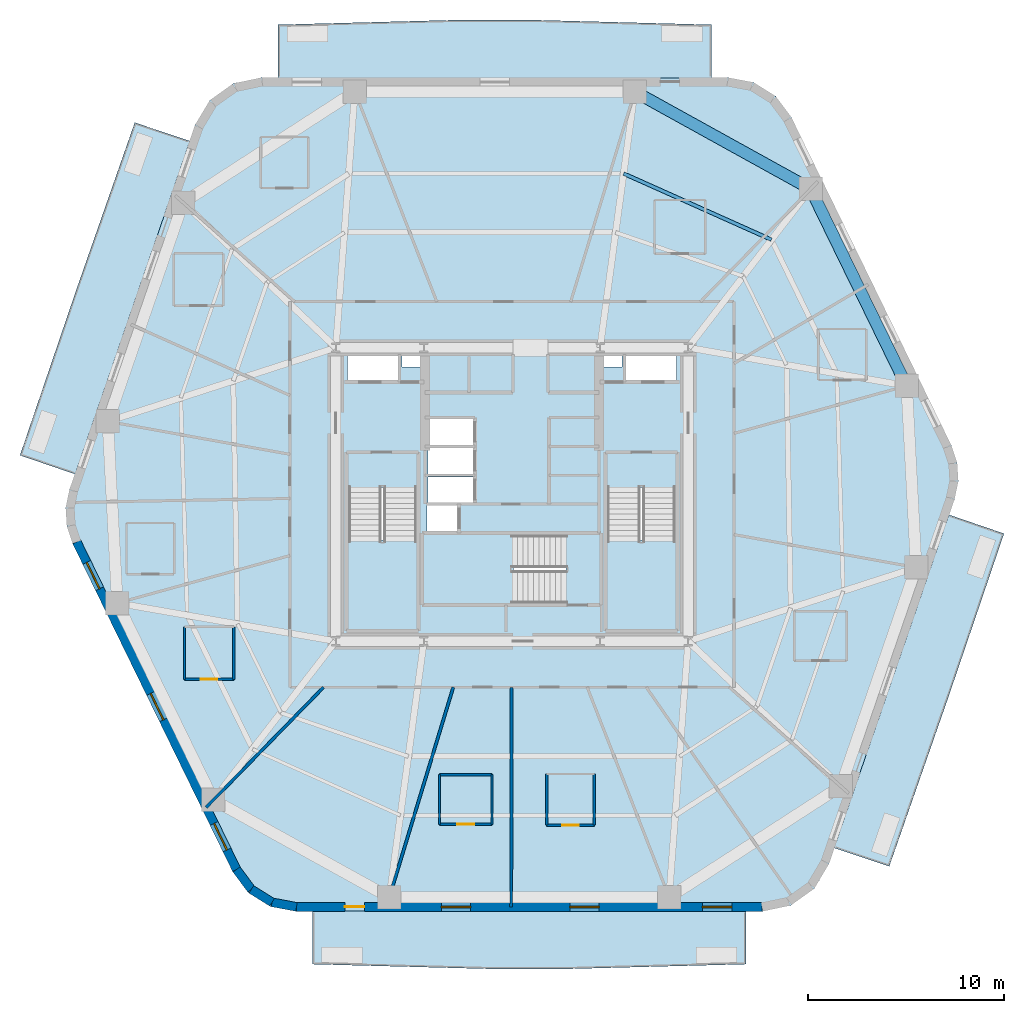
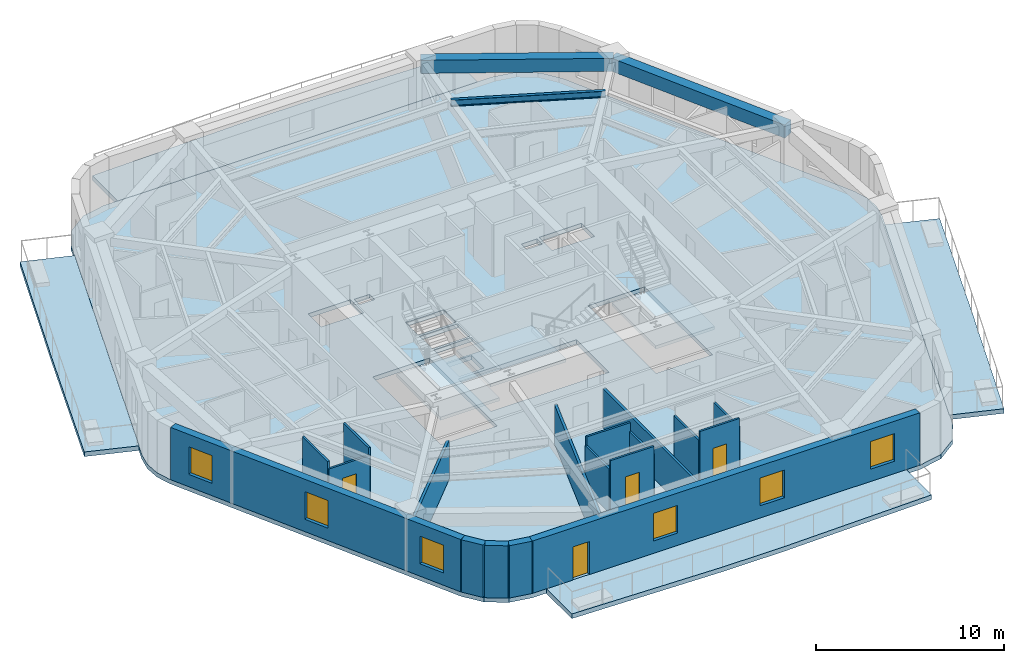
# One storey, part 2 of 8: 18 walls, 8 slabs, 6 windows, 4 doors, 3 beams, 10 openings, 3 elements without a shape of their own.
"""IFC4 building model written with IfcOpenShell, lengths in metres."""

import ifcopenshell
import ifcopenshell.guid

model = None  # the IFC model being written
_history = None  # IfcOwnerHistory: only IFC2X3 demands one
_inside = {}  # id of a spatial element -> (the spatial element, [elements in it])
_under = {}  # id of a project, library or spatial element -> (it, [spatial elements below it])
_declared = {}  # id of a project -> (the project, [libraries it declares])
_typed = {}  # id of a type object -> (the type object, [elements of that type])
_made_of = {}  # id of a material, layer set ... -> (it, [elements and type objects made of it])


def new_model(schema):
    """Start an empty IFC model of exactly this schema.

    Asked for "IFC4X3", IfcOpenShell would pick the latest addendum, in which some entities
    have other attributes; the version numbers below select the first issue.
    IFC2X3 requires an IfcOwnerHistory on every rooted entity: one is made here for all.
    """
    global model, _history
    if schema == "IFC4X3":
        model = ifcopenshell.file(schema_version=(4, 3, 0, 0))
    else:
        model = ifcopenshell.file(schema=schema)
    _inside.clear()
    _under.clear()
    _declared.clear()
    _typed.clear()
    _made_of.clear()
    _history = None
    if model.schema == "IFC2X3":
        org = make("IfcOrganization", Name="unknown")
        user = make(
            "IfcPersonAndOrganization",
            ThePerson=make("IfcPerson", FamilyName="unknown"),
            TheOrganization=org,
        )
        app = make(
            "IfcApplication",
            ApplicationDeveloper=org,
            Version="unknown",
            ApplicationFullName="unknown",
            ApplicationIdentifier="unknown",
        )
        _history = make(
            "IfcOwnerHistory",
            OwningUser=user,
            OwningApplication=app,
            ChangeAction="ADDED",
            CreationDate=0,
        )
    return model


def make(cls, **values):
    """One entity of the class cls with the attributes given. An attribute that is None is left unset."""
    return model.create_entity(
        cls, **{name: value for name, value in values.items() if value is not None}
    )


def rooted(cls, **values):
    """An entity with a GlobalId (a new one), such as an element, a storey or a relation."""
    return make(cls, GlobalId=ifcopenshell.guid.new(), OwnerHistory=_history, **values)


def si_unit(unit_type, name, prefix=None):
    """IfcSIUnit, for example si_unit("LENGTHUNIT", "METRE", prefix="MILLI")."""
    return make("IfcSIUnit", UnitType=unit_type, Prefix=prefix, Name=name)


def assignment(units):
    """IfcUnitAssignment: the units of a project."""
    return None if units is None else make("IfcUnitAssignment", Units=units)


def point(xyz):
    """IfcCartesianPoint."""
    return None if xyz is None else make("IfcCartesianPoint", Coordinates=xyz)


def direction(xyz):
    """IfcDirection."""
    return None if xyz is None else make("IfcDirection", DirectionRatios=xyz)


def frame(location, z_axis=None, x_axis=None):
    """IfcAxis2Placement3D, a coordinate frame: its origin and axes. An axis left out is left unset."""
    return make(
        "IfcAxis2Placement3D",
        Location=point(location),
        Axis=direction(z_axis),
        RefDirection=direction(x_axis),
    )


def frame_2d(location, x_axis=None):
    """IfcAxis2Placement2D, a coordinate frame in the plane: its origin and x axis."""
    return make(
        "IfcAxis2Placement2D", Location=point(location), RefDirection=direction(x_axis)
    )


def origin():
    """The frame at (0, 0, 0) with its axes left unset."""
    return frame((0.0, 0.0, 0.0))


def origin_2d():
    """The frame at (0, 0) in the plane with its x axis left unset."""
    return frame_2d((0.0, 0.0))


def place(relative_to, where):
    """IfcLocalPlacement: puts the frame where relative to a parent placement (None: the world)."""
    return make(
        "IfcLocalPlacement", PlacementRelTo=relative_to, RelativePlacement=where
    )


def context(
    kind, dimensions, precision=None, world=None, true_north=None, identifier=None
):
    """IfcGeometricRepresentationContext, for example the 3D "Model" context."""
    return make(
        "IfcGeometricRepresentationContext",
        ContextIdentifier=identifier,
        ContextType=kind,
        CoordinateSpaceDimension=dimensions,
        Precision=precision,
        WorldCoordinateSystem=world,
        TrueNorth=true_north,
    )


def subcontext(parent, identifier, kind, view, scale=None):
    """IfcGeometricRepresentationSubContext, for example "Body" below "Model"."""
    return make(
        "IfcGeometricRepresentationSubContext",
        ContextIdentifier=identifier,
        ContextType=kind,
        ParentContext=parent,
        TargetScale=scale,
        TargetView=view,
    )


def project(units=None, contexts=None):
    """IfcProject with its units and contexts."""
    return rooted(
        "IfcProject",
        Name="project",
        RepresentationContexts=contexts,
        UnitsInContext=assignment(units),
    )


def spatial(cls, under=None, at=None, **own):
    """A site, building, storey or space (cls), placed at a placement, below another one or the project."""
    s = rooted(cls, ObjectPlacement=at, **own)
    if under is not None:
        _under.setdefault(under.id(), (under, []))[1].append(s)
    return s


def polyline(points):
    """IfcPolyline through the points."""
    return make("IfcPolyline", Points=[point(p) for p in points])


def profile(cls, at=None, kind="AREA", **sizes):
    """A parametric profile (cls). Its sizes go by their IFC names, for example OverallWidth=200.0."""
    return make(cls, ProfileType=kind, Position=at, **sizes)


def rectangle(**sizes):
    """IfcRectangleProfileDef."""
    return profile("IfcRectangleProfileDef", **sizes)


def i_section(**sizes):
    """IfcIShapeProfileDef."""
    return profile("IfcIShapeProfileDef", **sizes)


def outline(outer, holes=None, kind="AREA"):
    """IfcArbitraryClosedProfileDef: a profile drawn as a closed curve; with holes, ...WithVoids."""
    if holes is None:
        return make("IfcArbitraryClosedProfileDef", ProfileType=kind, OuterCurve=outer)
    return make(
        "IfcArbitraryProfileDefWithVoids",
        ProfileType=kind,
        OuterCurve=outer,
        InnerCurves=holes,
    )


def extrude(swept, where, along, depth):
    """IfcExtrudedAreaSolid: the profile swept, set in the frame where, extruded along a direction by depth."""
    return make(
        "IfcExtrudedAreaSolid",
        SweptArea=swept,
        Position=where,
        ExtrudedDirection=direction(along),
        Depth=depth,
    )


def shape(context_of_items, identifier, shape_type, items):
    """IfcShapeRepresentation: the items that make up one representation, for example the "Body"."""
    return make(
        "IfcShapeRepresentation",
        ContextOfItems=context_of_items,
        RepresentationIdentifier=identifier,
        RepresentationType=shape_type,
        Items=items,
    )


def material(Name=None, Category=None):
    """IfcMaterial."""
    return make("IfcMaterial", Name=Name, Category=Category)


def layer(
    of_material, thickness, ventilated=None, Name=None, Category=None, Priority=None
):
    """IfcMaterialLayer: one layer of a wall or slab, of a material (None: an air gap)."""
    return make(
        "IfcMaterialLayer",
        Material=of_material,
        LayerThickness=thickness,
        IsVentilated=ventilated,
        Name=Name,
        Category=Category,
        Priority=Priority,
    )


def layer_set(layers, Name=None):
    """IfcMaterialLayerSet."""
    return make("IfcMaterialLayerSet", MaterialLayers=layers, LayerSetName=Name)


def material_profile(
    of_material, cross_section, Name=None, Category=None, Priority=None
):
    """IfcMaterialProfile: a cross section and its material."""
    return make(
        "IfcMaterialProfile",
        Name=Name,
        Material=of_material,
        Profile=cross_section,
        Priority=Priority,
        Category=Category,
    )


def profile_set(profiles, Name=None, composite=None):
    """IfcMaterialProfileSet."""
    return make(
        "IfcMaterialProfileSet",
        Name=Name,
        MaterialProfiles=profiles,
        CompositeProfile=composite,
    )


def made_of(thing, what):
    """Note that an element or type object is made of a material, layer set ...; save() writes the relation."""
    if what is not None:
        _made_of.setdefault(what.id(), (what, []))[1].append(thing)
    return thing


def type_object(cls, material=None, **own):
    """A type object (cls), such as IfcWallType, which elements share."""
    return made_of(rooted(cls, **own), material)


def element(
    cls,
    number,
    at=None,
    inside=None,
    cuts=None,
    type_object=None,
    material=None,
    context=None,
    identifier="Body",
    shape_type=None,
    held_by="IfcProductDefinitionShape",
    body=None,
    shapes=None,
    **own,
):
    """One element of the class cls, such as IfcWall. Its Tag is "e" and its number.

    at: its placement. inside: the storey or other place that contains it. cuts: it is an
    opening in that element (IfcRelVoidsElement). A single representation is given by context,
    identifier, shape_type and body (its items); several are given by shapes. held_by: the class
    of the entity that holds the representations. save() writes the other relations.
    """
    e = rooted(cls, Tag="e%d" % number, ObjectPlacement=at, **own)
    if body is not None:
        shapes = [shape(context, identifier, shape_type, body)]
    if shapes is not None:
        e.Representation = make(held_by, Representations=shapes)
    if inside is not None:
        _inside.setdefault(inside.id(), (inside, []))[1].append(e)
    if cuts is not None:
        rooted(
            "IfcRelVoidsElement", RelatingBuildingElement=cuts, RelatedOpeningElement=e
        )
    if type_object is not None:
        _typed.setdefault(type_object.id(), (type_object, []))[1].append(e)
    return made_of(e, material)


def fill(opening, filler):
    """IfcRelFillsElement: the door or window that sits in an opening."""
    return rooted(
        "IfcRelFillsElement",
        RelatingOpeningElement=opening,
        RelatedBuildingElement=filler,
    )


def aggregate(whole, parts):
    """IfcRelAggregates: a whole, such as a stair, and the parts it consists of."""
    return rooted("IfcRelAggregates", RelatingObject=whole, RelatedObjects=parts)


def save(model, path):
    """Write the relations noted so far, then the file.

    IfcRelAggregates (storeys below a building ...), IfcRelContainedInSpatialStructure (elements
    in a storey), IfcRelDefinesByType, IfcRelAssociatesMaterial and IfcRelDeclares: one each for
    every whole, place, type object, material and project.
    """
    for whole, parts in _under.values():
        aggregate(whole, parts)
    for where, things in _inside.values():
        rooted(
            "IfcRelContainedInSpatialStructure",
            RelatedElements=things,
            RelatingStructure=where,
        )
    for kind, things in _typed.values():
        rooted("IfcRelDefinesByType", RelatedObjects=things, RelatingType=kind)
    for what, things in _made_of.values():
        rooted("IfcRelAssociatesMaterial", RelatedObjects=things, RelatingMaterial=what)
    for by, libraries in _declared.values():
        rooted("IfcRelDeclares", RelatingContext=by, RelatedDefinitions=libraries)
    model.write(path)


model = new_model("IFC4")

# Units and contexts
model_context = context("Model", 3, precision=1e-05, world=origin(), true_north=direction((0.0, 1.0)))
body_context = subcontext(model_context, "Body", "Model", "MODEL_VIEW")
ifc_project = project(units=[si_unit("LENGTHUNIT", "METRE"), si_unit("AREAUNIT", "SQUARE_METRE"), si_unit("VOLUMEUNIT", "CUBIC_METRE"), si_unit("PLANEANGLEUNIT", "RADIAN"), si_unit("MASSUNIT", "GRAM", prefix="KILO")], contexts=[model_context])

# Site, building, storey
site_placement = place(None, origin())
site = spatial("IfcSite", under=ifc_project, at=site_placement, CompositionType="ELEMENT")
building_placement = place(site_placement, origin())
building = spatial("IfcBuilding", under=site, at=building_placement, Name="Kilnhurst Terrace Hotel", CompositionType="ELEMENT")
storey_placement = place(building_placement, frame((0.0, 0.0, 106.199951171875)))
storey = spatial("IfcBuildingStorey", under=building, at=storey_placement, Name="L25", CompositionType="ELEMENT", Elevation=106.199951171875)

# Beams
ifc_material_1 = material(Name="Concrete C50/60", Category="concrete")
ifc_material_profile_1 = material_profile(ifc_material_1, rectangle(XDim=0.60009765625, YDim=0.85009765625, at=origin_2d()), Name="RC600X850")
ifc_profile_set_1 = profile_set([ifc_material_profile_1], Name="Concrete C50/60")
beam_type_1 = type_object("IfcBeamType", Name="BM-SPN-600X850", PredefinedType="SPANDREL", material=ifc_profile_set_1)
beam_1_placement = place(storey_placement, frame((20.1640625, 5.549072265625, 2.97509765625), z_axis=(-0.438406012271, 0.89877704043, 0.0), x_axis=(-0.89877704043, -0.438406012271, 0.0)))
element("IfcBeam", 1, at=beam_1_placement, inside=storey, type_object=beam_type_1, Name="L25 Perimeter Spandrel Beam 5", PredefinedType="SPANDREL", context=body_context, shape_type="SweptSolid", body=[
    extrude(rectangle(XDim=0.60009765625, YDim=0.85009765625, at=origin_2d()), origin(), (0.0, 0.0, 1.0), 11.19287109375),
])
beam_2_placement = place(storey_placement, frame((15.257080078125, 15.60888671875, 2.97509765625), z_axis=(-0.875094010429, 0.483952965598, 0.0), x_axis=(-0.483952965598, -0.875094010429, 0.0)))
element("IfcBeam", 2, at=beam_2_placement, inside=storey, type_object=beam_type_1, Name="L25 Perimeter Spandrel Beam 6", PredefinedType="SPANDREL", context=body_context, shape_type="SweptSolid", body=[
    extrude(rectangle(XDim=0.60009765625, YDim=0.85009765625, at=origin_2d()), origin(), (0.0, 0.0, 1.0), 10.27197265625),
])
ifc_material_2 = material(Name="Steel ASTM A992 Grade 50", Category="steel")
ifc_material_profile_2 = material_profile(ifc_material_2, i_section(OverallWidth=0.180908203125, OverallDepth=0.417236328125, WebThickness=0.010986328125, FlangeThickness=0.018310546875, at=origin_2d()), Name="W16X57")
ifc_profile_set_2 = profile_set([ifc_material_profile_2], Name="Steel ASTM A992 Grade 50")
beam_type_2 = type_object("IfcBeamType", Name="JST-STL-W16X57", PredefinedType="JOIST", material=ifc_profile_set_2)
beam_3_placement = place(storey_placement, frame((13.2548828125, 13.01416015625, 3.191162109375), z_axis=(-0.912760935806, 0.408494154262, 0.0), x_axis=(-0.408494154262, -0.912760935806, 0.0)))
element("IfcBeam", 3, at=beam_3_placement, inside=storey, type_object=beam_type_2, Name="L25 Secondary Floor Steel Joist OUT.6", PredefinedType="JOIST", context=body_context, shape_type="SweptSolid", body=[
    extrude(i_section(OverallWidth=0.180908203125, OverallDepth=0.417236328125, WebThickness=0.010986328125, FlangeThickness=0.018310546875, at=origin_2d()), origin(), (0.0, 0.0, 1.0), 8.274658203125),
])

# Slabs
ifc_layer_1 = layer(ifc_material_1, 0.300048828125, Name="Concrete C50/60")
ifc_layer_set_1 = layer_set([ifc_layer_1], Name="Concrete C50/60")
slab_type_1 = type_object("IfcSlabType", Name="SLB-BAL-300", PredefinedType="FLOOR", material=ifc_layer_set_1)
slab_1_placement = place(storey_placement, frame((0.0, 0.0, -0.300048828125)))
element("IfcSlab", 4, at=slab_1_placement, inside=storey, type_object=slab_type_1, Name="L25 Cantilevered Planted Terrace Slab BAL-L1A", PredefinedType="FLOOR", context=body_context, shape_type="SweptSolid", body=[
    extrude(outline(polyline([(2.787841796875, -24.239990234375), (-1.027099609375, -24.239990234375), (-10.18310546875, -24.0), (-10.18310546875, -21.280029296875), (11.943603515625, -21.280029296875), (11.943603515625, -24.0), (2.787841796875, -24.239990234375)])), origin(), (0.0, 0.0, 1.0), 0.300048828125),
])
slab_2_placement = place(storey_placement, frame((0.0, 0.0, -0.300048828125)))
element("IfcSlab", 5, at=slab_2_placement, inside=storey, type_object=slab_type_1, Name="L25 Cantilevered Planted Terrace Slab BAL-L1B", PredefinedType="FLOOR", context=body_context, shape_type="SweptSolid", body=[
    extrude(outline(polyline([(19.273193359375, -19.0), (16.45751953125, -18.05615234375), (22.319091796875, -1.03466796875), (25.13623046875, -2.0), (22.233154296875, -10.52880859375), (19.273193359375, -19.0)])), origin(), (0.0, 0.0, 1.0), 0.300048828125),
])
slab_3_placement = place(storey_placement, frame((0.0, 0.0, -0.300048828125)))
element("IfcSlab", 6, at=slab_3_placement, inside=storey, type_object=slab_type_1, Name="L25 Cantilevered Planted Terrace Slab BAL-L2A", PredefinedType="FLOOR", context=body_context, shape_type="SweptSolid", body=[
    extrude(outline(polyline([(1.027099609375, 24.239990234375), (10.18310546875, 24.0), (10.18310546875, 21.280029296875), (-11.943603515625, 21.280029296875), (-11.943603515625, 24.0), (-2.787841796875, 24.239990234375), (1.027099609375, 24.239990234375)])), origin(), (0.0, 0.0, 1.0), 0.300048828125),
])
slab_4_placement = place(storey_placement, frame((0.0, 0.0, -0.300048828125)))
element("IfcSlab", 7, at=slab_4_placement, inside=storey, type_object=slab_type_1, Name="L25 Cantilevered Planted Terrace Slab BAL-L2B", PredefinedType="FLOOR", context=body_context, shape_type="SweptSolid", body=[
    extrude(outline(polyline([(-19.273193359375, 19.0), (-16.45751953125, 18.05615234375), (-22.319091796875, 1.03466796875), (-25.13623046875, 2.0), (-22.233154296875, 10.52880859375), (-19.273193359375, 19.0)])), origin(), (0.0, 0.0, 1.0), 0.300048828125),
])
ifc_layer_2 = layer(ifc_material_1, 0.280029296875, Name="Concrete C50/60")
ifc_layer_set_2 = layer_set([ifc_layer_2], Name="Concrete C50/60")
slab_type_2 = type_object("IfcSlabType", Name="SLB-FLR-280", PredefinedType="FLOOR", material=ifc_layer_set_2)
slab_5_placement = place(storey_placement, frame((0.0, 0.0, -0.280029296875)))
element("IfcSlab", 8, at=slab_5_placement, inside=storey, type_object=slab_type_2, Name="L25 Structural Floor Slab", PredefinedType="FLOOR", context=body_context, shape_type="SweptSolid", body=[
    extrude(outline(polyline([(-14.2685546875, -19.2783203125), (-13.472900390625, -20.34716796875), (-12.342529296875, -21.05322265625), (-11.032958984375, -21.300048828125), (12.793701171875, -21.300048828125), (14.23876953125, -20.997314453125), (15.44091796875, -20.139892578125), (16.197509765625, -18.872314453125), (22.614501953125, -0.238525390625), (22.8017578125, 0.6826171875), (22.744384765625, 1.62060546875), (22.4462890625, 2.51171875), (14.2685546875, 19.2783203125), (13.472900390625, 20.34716796875), (12.342529296875, 21.05322265625), (11.032958984375, 21.300048828125), (-12.793701171875, 21.300048828125), (-14.23876953125, 20.997314453125), (-15.44091796875, 20.139892578125), (-16.197509765625, 18.872314453125), (-22.614501953125, 0.238525390625), (-22.8017578125, -0.6826171875), (-22.744384765625, -1.62060546875), (-22.4462890625, -2.51171875), (-14.2685546875, -19.2783203125)]), holes=[polyline([(-8.35009765625, 0.35498046875), (-4.8798828125, 0.35498046875), (-4.8798828125, -6.89990234375), (-8.35009765625, -6.89990234375), (-8.35009765625, 0.35498046875)]), polyline([(-2.800048828125, -1.89990234375), (-4.35009765625, -1.89990234375), (-4.35009765625, -0.550048828125), (-2.800048828125, -0.550048828125), (-2.800048828125, -1.89990234375)]), polyline([(-1.949951171875, -0.429931640625), (-4.300048828125, -0.429931640625), (-4.300048828125, 0.89990234375), (-1.949951171875, 0.89990234375), (-1.949951171875, -0.429931640625)]), polyline([(-4.300048828125, 1.050048828125), (-4.300048828125, 2.3798828125), (-1.949951171875, 2.3798828125), (-1.949951171875, 1.050048828125), (-4.300048828125, 1.050048828125)]), polyline([(-8.39990234375, 5.75), (-8.39990234375, 7.14990234375), (-5.800048828125, 7.14990234375), (-5.800048828125, 5.75), (-8.39990234375, 5.75)]), polyline([(-4.659912109375, 6.52001953125), (-5.6201171875, 6.52001953125), (-5.6201171875, 7.080078125), (-4.659912109375, 7.080078125), (-4.659912109375, 6.52001953125)]), polyline([(2.7548828125, -5.550048828125), (-4.5, -5.550048828125), (-4.5, -2.080078125), (2.7548828125, -2.080078125), (2.7548828125, -5.550048828125)]), polyline([(8.35009765625, 0.35498046875), (8.35009765625, -6.89990234375), (4.8798828125, -6.89990234375), (4.8798828125, 0.35498046875), (8.35009765625, 0.35498046875)]), polyline([(-1.949951171875, 2.530029296875), (-4.300048828125, 2.530029296875), (-4.300048828125, 3.860107421875), (-1.949951171875, 3.860107421875), (-1.949951171875, 2.530029296875)]), polyline([(5.800048828125, 5.75), (5.800048828125, 7.14990234375), (8.39990234375, 7.14990234375), (8.39990234375, 5.75), (5.800048828125, 5.75)]), polyline([(4.659912109375, 6.52001953125), (4.659912109375, 7.080078125), (5.6201171875, 7.080078125), (5.6201171875, 6.52001953125), (4.659912109375, 6.52001953125)])]), origin(), (0.0, 0.0, 1.0), 0.280029296875),
])

# Stair, slab
stair_type = type_object("IfcStairType", Name="STR-CORE-1660", PredefinedType="HALF_TURN_STAIR", material=ifc_material_1)
stair_1_placement = place(storey_placement, origin())
stair_1 = element("IfcStair", 9, at=stair_1_placement, inside=storey, type_object=stair_type, Name="L25 ST-1", PredefinedType="HALF_TURN_STAIR")
ifc_layer_3 = layer(ifc_material_1, 0.199951171875, Name="Concrete C50/60")
ifc_layer_set_3 = layer_set([ifc_layer_3], Name="Concrete C50/60")
slab_type_3 = type_object("IfcSlabType", Name="SLB-ST-LND-200", PredefinedType="LANDING", material=ifc_layer_set_3)
slab_6_placement = place(storey_placement, frame((0.0, 0.0, 1.650146484375)))
slab_6 = element("IfcSlab", 10, at=slab_6_placement, type_object=slab_type_3, Name="ST-1 landing 1", PredefinedType="LANDING", context=body_context, shape_type="SweptSolid", body=[
    extrude(outline(polyline([(-8.429931640625, -2.330078125), (-4.800048828125, -2.330078125), (-4.800048828125, -6.97998046875), (-8.429931640625, -6.97998046875), (-8.429931640625, -2.330078125)])), origin(), (0.0, 0.0, 1.0), 0.199951171875),
])
aggregate(stair_1, [slab_6])

stair_2_placement = place(storey_placement, origin())
stair_2 = element("IfcStair", 11, at=stair_2_placement, inside=storey, type_object=stair_type, Name="L25 ST-2", PredefinedType="HALF_TURN_STAIR")
slab_7_placement = place(storey_placement, frame((0.0, 0.0, 1.650146484375)))
slab_7 = element("IfcSlab", 12, at=slab_7_placement, type_object=slab_type_3, Name="ST-2 landing 1", PredefinedType="LANDING", context=body_context, shape_type="SweptSolid", body=[
    extrude(outline(polyline([(4.800048828125, -2.330078125), (8.429931640625, -2.330078125), (8.429931640625, -6.97998046875), (4.800048828125, -6.97998046875), (4.800048828125, -2.330078125)])), origin(), (0.0, 0.0, 1.0), 0.199951171875),
])
aggregate(stair_2, [slab_7])

stair_3_placement = place(storey_placement, origin())
stair_3 = element("IfcStair", 13, at=stair_3_placement, inside=storey, type_object=stair_type, Name="L25 ST-3", PredefinedType="HALF_TURN_STAIR")
slab_8_placement = place(storey_placement, frame((0.0, 0.0, 1.650146484375)))
slab_8 = element("IfcSlab", 14, at=slab_8_placement, type_object=slab_type_3, Name="ST-3 landing 1", PredefinedType="LANDING", context=body_context, shape_type="SweptSolid", body=[
    extrude(outline(polyline([(0.070068359375, -2.0), (0.070068359375, -5.6298828125), (-4.580078125, -5.6298828125), (-4.580078125, -2.0), (0.070068359375, -2.0)])), origin(), (0.0, 0.0, 1.0), 0.199951171875),
])
aggregate(stair_3, [slab_8])

# Walls
ifc_material_3 = material(Name="Precast concrete C40/50", Category="concrete")
ifc_layer_4 = layer(ifc_material_3, 0.449951171875, Name="Precast concrete C40/50")
ifc_layer_set_4 = layer_set([ifc_layer_4], Name="Precast concrete C40/50")
wall_type_1 = type_object("IfcWallType", Name="WL-BRK-450", PredefinedType="SOLIDWALL", material=ifc_layer_set_4)
wall_1_placement = place(storey_placement, frame((-14.07568359375, -19.16064453125, 0.0), z_axis=(0.0, 0.0, 1.0), x_axis=(0.597226657159, -0.802072515412, 0.0)))
element("IfcWall", 15, at=wall_1_placement, inside=storey, type_object=wall_type_1, Name="L25 Rounded Corner Brick Wall C1.1", PredefinedType="SOLIDWALL", context=body_context, shape_type="SweptSolid", body=[
    extrude(rectangle(XDim=1.269287109375, YDim=0.449951171875, at=frame_2d((0.634765625, 0.0))), origin(), (0.0, 0.0, 1.0), 3.400146484375),
])
wall_2_placement = place(storey_placement, frame((-13.317626953125, -20.1787109375, 0.0), z_axis=(0.0, 0.0, 1.0), x_axis=(0.848031272749, -0.529946186362, 0.0)))
element("IfcWall", 16, at=wall_2_placement, inside=storey, type_object=wall_type_1, Name="L25 Rounded Corner Brick Wall C1.2", PredefinedType="SOLIDWALL", context=body_context, shape_type="SweptSolid", body=[
    extrude(rectangle(XDim=1.248046875, YDim=0.449951171875, at=frame_2d((0.6240234375, 0.0))), origin(), (0.0, 0.0, 1.0), 3.400146484375),
])
wall_3_placement = place(storey_placement, frame((-12.25927734375, -20.840087890625, 0.0), z_axis=(0.0, 0.0, 1.0), x_axis=(0.982730354425, -0.185043374624, 0.0)))
element("IfcWall", 17, at=wall_3_placement, inside=storey, type_object=wall_type_1, Name="L25 Rounded Corner Brick Wall C1.3", PredefinedType="SOLIDWALL", context=body_context, shape_type="SweptSolid", body=[
    extrude(rectangle(XDim=1.269287109375, YDim=0.449951171875, at=frame_2d((0.634765625, 0.0))), origin(), (0.0, 0.0, 1.0), 3.400146484375),
])

# Wall, openings, door, windows
wall_4_placement = place(storey_placement, frame((-11.011962890625, -21.074951171875, 0.0), z_axis=(0.0, 0.0, 1.0), x_axis=(1.0, 0.0, 0.0)))
wall_4 = element("IfcWall", 18, at=wall_4_placement, inside=storey, type_object=wall_type_1, Name="L25 Exterior Brick Facade Wall F1", PredefinedType="SOLIDWALL", context=body_context, shape_type="SweptSolid", body=[
    extrude(rectangle(XDim=23.782470703125, YDim=0.449951171875, at=frame_2d((11.89111328125, 0.0))), origin(), (0.0, 0.0, 1.0), 3.400146484375),
])
opening_1_placement = place(wall_4_placement, frame((2.472900390625, 0.0, 0.0)))
opening_1 = element("IfcOpeningElement", 19, at=opening_1_placement, cuts=wall_4, Name="Opening BD-1000", PredefinedType="OPENING", context=body_context, shape_type="SweptSolid", body=[
    extrude(rectangle(XDim=1.0, YDim=2.14990234375, at=frame_2d((0.5, 1.074951171875))), frame((0.0, 0.23486328125, 0.0), z_axis=(0.0, -1.0, 0.0), x_axis=(1.0, 0.0, 0.0)), (0.0, 0.0, 1.0), 0.469970703125),
])
opening_2_placement = place(wall_4_placement, frame((7.39794921875, 0.0, 0.800048828125)))
opening_2 = element("IfcOpeningElement", 20, at=opening_2_placement, cuts=wall_4, Name="Opening W-02", PredefinedType="OPENING", context=body_context, shape_type="SweptSolid", body=[
    extrude(rectangle(XDim=1.5, YDim=1.800048828125, at=frame_2d((0.75, 0.89990234375))), frame((0.0, 0.23486328125, 0.0), z_axis=(0.0, -1.0, 0.0), x_axis=(1.0, 0.0, 0.0)), (0.0, 0.0, 1.0), 0.469970703125),
])
opening_3_placement = place(wall_4_placement, frame((13.966064453125, 0.0, 0.800048828125)))
opening_3 = element("IfcOpeningElement", 21, at=opening_3_placement, cuts=wall_4, Name="Opening W-02", PredefinedType="OPENING", context=body_context, shape_type="SweptSolid", body=[
    extrude(rectangle(XDim=1.5, YDim=1.800048828125, at=frame_2d((0.75, 0.89990234375))), frame((0.0, 0.23486328125, 0.0), z_axis=(0.0, -1.0, 0.0), x_axis=(1.0, 0.0, 0.0)), (0.0, 0.0, 1.0), 0.469970703125),
])
opening_4_placement = place(wall_4_placement, frame((20.740966796875, 0.0, 0.800048828125)))
opening_4 = element("IfcOpeningElement", 22, at=opening_4_placement, cuts=wall_4, Name="Opening W-02", PredefinedType="OPENING", context=body_context, shape_type="SweptSolid", body=[
    extrude(rectangle(XDim=1.5, YDim=1.800048828125, at=frame_2d((0.75, 0.89990234375))), frame((0.0, 0.23486328125, 0.0), z_axis=(0.0, -1.0, 0.0), x_axis=(1.0, 0.0, 0.0)), (0.0, 0.0, 1.0), 0.469970703125),
])
ifc_material_4 = material(Name="Thermally Broken Bronze Aluminium Alloy 6063-T6 and Laminated Glass", Category="aluminium")
door_type_1 = type_object("IfcDoorType", Name="DR-EXT-BAL-1000", OperationType="NOTDEFINED", PredefinedType="DOOR", material=ifc_material_4)
door_1_placement = place(opening_1_placement, origin())
door_1 = element("IfcDoor", 23, at=door_1_placement, inside=storey, type_object=door_type_1, Name="L25 Planted Balcony Door BAL-L1A", OperationType="SINGLE_SWING_LEFT", OverallHeight=2.14990234375, OverallWidth=1.0, PredefinedType="DOOR", context=body_context, shape_type="SweptSolid", body=[
    extrude(rectangle(XDim=1.0, YDim=2.14990234375, at=frame_2d((0.5, 1.074951171875))), frame((0.0, 0.02490234375, 0.0), z_axis=(0.0, -1.0, 0.0), x_axis=(1.0, 0.0, 0.0)), (0.0, 0.0, 1.0), 0.050048828125),
])
fill(opening_1, door_1)
ifc_material_5 = material(Name="Thermally Broken Bronze Aluminium Alloy 6063-T6 and Low-E Glass", Category="aluminium")
window_type = type_object("IfcWindowType", Name="WIN-1500X1800", PartitioningType="SINGLE_PANEL", PredefinedType="WINDOW", material=ifc_material_5)
window_1_placement = place(opening_2_placement, origin())
window_1 = element("IfcWindow", 24, at=window_1_placement, inside=storey, type_object=window_type, Name="L25 Deep-Set Masonry Window F1.1", OverallHeight=1.800048828125, OverallWidth=1.5, PartitioningType="SINGLE_PANEL", PredefinedType="WINDOW", context=body_context, shape_type="SweptSolid", body=[
    extrude(rectangle(XDim=1.5, YDim=1.800048828125, at=frame_2d((0.75, 0.89990234375))), frame((0.0, 0.030029296875, 0.0), z_axis=(0.0, -1.0, 0.0), x_axis=(1.0, 0.0, 0.0)), (0.0, 0.0, 1.0), 0.06005859375),
])
fill(opening_2, window_1)
window_2_placement = place(opening_3_placement, origin())
window_2 = element("IfcWindow", 25, at=window_2_placement, inside=storey, type_object=window_type, Name="L25 Deep-Set Masonry Window F1.2", OverallHeight=1.800048828125, OverallWidth=1.5, PartitioningType="SINGLE_PANEL", PredefinedType="WINDOW", context=body_context, shape_type="SweptSolid", body=[
    extrude(rectangle(XDim=1.5, YDim=1.800048828125, at=frame_2d((0.75, 0.89990234375))), frame((0.0, 0.030029296875, 0.0), z_axis=(0.0, -1.0, 0.0), x_axis=(1.0, 0.0, 0.0)), (0.0, 0.0, 1.0), 0.06005859375),
])
fill(opening_3, window_2)
window_3_placement = place(opening_4_placement, origin())
window_3 = element("IfcWindow", 26, at=window_3_placement, inside=storey, type_object=window_type, Name="L25 Deep-Set Masonry Window F1.3", OverallHeight=1.800048828125, OverallWidth=1.5, PartitioningType="SINGLE_PANEL", PredefinedType="WINDOW", context=body_context, shape_type="SweptSolid", body=[
    extrude(rectangle(XDim=1.5, YDim=1.800048828125, at=frame_2d((0.75, 0.89990234375))), frame((0.0, 0.030029296875, 0.0), z_axis=(0.0, -1.0, 0.0), x_axis=(1.0, 0.0, 0.0)), (0.0, 0.0, 1.0), 0.06005859375),
])
fill(opening_4, window_3)

# Wall, openings, windows
wall_5_placement = place(storey_placement, frame((-22.237548828125, -2.426513671875, 0.0), z_axis=(0.0, 0.0, 1.0), x_axis=(0.438374803278, -0.898792262901, 0.0)))
wall_5 = element("IfcWall", 27, at=wall_5_placement, inside=storey, type_object=wall_type_1, Name="L25 Exterior Brick Facade Wall F6", PredefinedType="SOLIDWALL", context=body_context, shape_type="SweptSolid", body=[
    extrude(rectangle(XDim=18.618408203125, YDim=0.449951171875, at=frame_2d((9.30908203125, 0.0))), origin(), (0.0, 0.0, 1.0), 3.400146484375),
])
opening_5_placement = place(wall_5_placement, frame((1.1630859375, 0.0, 0.800048828125)))
opening_5 = element("IfcOpeningElement", 28, at=opening_5_placement, cuts=wall_5, Name="Opening W-02", PredefinedType="OPENING", context=body_context, shape_type="SweptSolid", body=[
    extrude(rectangle(XDim=1.5, YDim=1.800048828125, at=frame_2d((0.75, 0.89990234375))), frame((0.0, 0.23486328125, 0.0), z_axis=(0.0, -1.0, 0.0), x_axis=(1.0, 0.0, 0.0)), (0.0, 0.0, 1.0), 0.469970703125),
])
opening_6_placement = place(wall_5_placement, frame((8.610107421875, 0.0, 0.800048828125)))
opening_6 = element("IfcOpeningElement", 29, at=opening_6_placement, cuts=wall_5, Name="Opening W-02", PredefinedType="OPENING", context=body_context, shape_type="SweptSolid", body=[
    extrude(rectangle(XDim=1.5, YDim=1.800048828125, at=frame_2d((0.75, 0.89990234375))), frame((0.0, 0.23486328125, 0.0), z_axis=(0.0, -1.0, 0.0), x_axis=(1.0, 0.0, 0.0)), (0.0, 0.0, 1.0), 0.469970703125),
])
opening_7_placement = place(wall_5_placement, frame((16.006103515625, 0.0, 0.800048828125)))
opening_7 = element("IfcOpeningElement", 30, at=opening_7_placement, cuts=wall_5, Name="Opening W-02", PredefinedType="OPENING", context=body_context, shape_type="SweptSolid", body=[
    extrude(rectangle(XDim=1.5, YDim=1.800048828125, at=frame_2d((0.75, 0.89990234375))), frame((0.0, 0.23486328125, 0.0), z_axis=(0.0, -1.0, 0.0), x_axis=(1.0, 0.0, 0.0)), (0.0, 0.0, 1.0), 0.469970703125),
])
window_4_placement = place(opening_5_placement, origin())
window_4 = element("IfcWindow", 31, at=window_4_placement, inside=storey, type_object=window_type, Name="L25 Deep-Set Masonry Window F6.1", OverallHeight=1.800048828125, OverallWidth=1.5, PartitioningType="SINGLE_PANEL", PredefinedType="WINDOW", context=body_context, shape_type="SweptSolid", body=[
    extrude(rectangle(XDim=1.5, YDim=1.800048828125, at=frame_2d((0.75, 0.89990234375))), frame((0.0, 0.030029296875, 0.0), z_axis=(0.0, -1.0, 0.0), x_axis=(1.0, 0.0, 0.0)), (0.0, 0.0, 1.0), 0.06005859375),
])
fill(opening_5, window_4)
window_5_placement = place(opening_6_placement, origin())
window_5 = element("IfcWindow", 32, at=window_5_placement, inside=storey, type_object=window_type, Name="L25 Deep-Set Masonry Window F6.2", OverallHeight=1.800048828125, OverallWidth=1.5, PartitioningType="SINGLE_PANEL", PredefinedType="WINDOW", context=body_context, shape_type="SweptSolid", body=[
    extrude(rectangle(XDim=1.5, YDim=1.800048828125, at=frame_2d((0.75, 0.89990234375))), frame((0.0, 0.030029296875, 0.0), z_axis=(0.0, -1.0, 0.0), x_axis=(1.0, 0.0, 0.0)), (0.0, 0.0, 1.0), 0.06005859375),
])
fill(opening_6, window_5)
window_6_placement = place(opening_7_placement, origin())
window_6 = element("IfcWindow", 33, at=window_6_placement, inside=storey, type_object=window_type, Name="L25 Deep-Set Masonry Window F6.3", OverallHeight=1.800048828125, OverallWidth=1.5, PartitioningType="SINGLE_PANEL", PredefinedType="WINDOW", context=body_context, shape_type="SweptSolid", body=[
    extrude(rectangle(XDim=1.5, YDim=1.800048828125, at=frame_2d((0.75, 0.89990234375))), frame((0.0, 0.030029296875, 0.0), z_axis=(0.0, -1.0, 0.0), x_axis=(1.0, 0.0, 0.0)), (0.0, 0.0, 1.0), 0.06005859375),
])
fill(opening_7, window_6)

# Walls
ifc_material_6 = material(Name="STC-58 Acoustic Twin-Frame Guestroom Demising Partition")
ifc_layer_5 = layer(ifc_material_6, 0.14990234375, Name="STC-58 Acoustic Twin-Frame Guestroom Demising Partition")
ifc_layer_set_5 = layer_set([ifc_layer_5], Name="STC-58 Acoustic Twin-Frame Guestroom Demising Partition")
wall_type_2 = type_object("IfcWallType", Name="WL-DEM-150", PredefinedType="PARTITIONING", material=ifc_layer_set_5)
wall_6_placement = place(storey_placement, frame((-9.6279296875, -9.85009765625, 0.0), z_axis=(0.0, 0.0, 1.0), x_axis=(-0.698992824326, -0.715128681805, 0.0)))
element("IfcWall", 34, at=wall_6_placement, inside=storey, type_object=wall_type_2, Name="L25 Interior Wall WL-L25-DEM-COL08-11-1", PredefinedType="PARTITIONING", context=body_context, shape_type="SweptSolid", body=[
    extrude(rectangle(XDim=8.578857421875, YDim=0.14990234375, at=frame_2d((4.28955078125, 0.0))), origin(), (0.0, 0.0, 1.0), 2.5400390625),
])
wall_7_placement = place(storey_placement, frame((-3.0, -9.85009765625, 0.0), z_axis=(0.0, 0.0, 1.0), x_axis=(-0.291352035382, -0.95661590593, 0.0)))
element("IfcWall", 35, at=wall_7_placement, inside=storey, type_object=wall_type_2, Name="L25 Interior Wall WL-L25-DEM-COL09-12-1", PredefinedType="PARTITIONING", context=body_context, shape_type="SweptSolid", body=[
    extrude(rectangle(XDim=11.73388671875, YDim=0.14990234375, at=frame_2d((5.866943359375, 0.0))), origin(), (0.0, 0.0, 1.0), 2.5400390625),
])
wall_8_placement = place(storey_placement, frame((-0.018798828125, -9.85009765625, 0.0), z_axis=(0.0, 0.0, 1.0), x_axis=(-0.001913996973, -0.999998168306, 0.0)))
element("IfcWall", 36, at=wall_8_placement, inside=storey, type_object=wall_type_2, Name="L25 Interior Wall WL-L25-DEM-MID09-13-1", PredefinedType="PARTITIONING", context=body_context, shape_type="SweptSolid", body=[
    extrude(rectangle(XDim=11.224853515625, YDim=0.14990234375, at=frame_2d((5.6123046875, 0.0))), origin(), (0.0, 0.0, 1.0), 2.5400390625),
])

# Wall, opening, door
ifc_material_7 = material(Name="120 mm Moisture-Resistant Tile-Backed Bathroom Partition")
ifc_layer_6 = layer(ifc_material_7, 0.1201171875, Name="120 mm Moisture-Resistant Tile-Backed Bathroom Partition")
ifc_layer_set_6 = layer_set([ifc_layer_6], Name="120 mm Moisture-Resistant Tile-Backed Bathroom Partition")
wall_type_3 = type_object("IfcWallType", Name="WL-PART-120", PredefinedType="PARTITIONING", material=ifc_layer_set_6)
wall_9_placement = place(storey_placement, frame((-16.735107421875, -9.445068359375, 0.0), z_axis=(0.0, 0.0, 1.0), x_axis=(1.0, 0.0, 0.0)))
wall_9 = element("IfcWall", 37, at=wall_9_placement, inside=storey, type_object=wall_type_3, Name="L25 Interior Wall WL-L25-BTH-10-1", PredefinedType="PARTITIONING", context=body_context, shape_type="SweptSolid", body=[
    extrude(rectangle(XDim=2.52001953125, YDim=0.1201171875, at=frame_2d((1.260009765625, 0.0))), origin(), (0.0, 0.0, 1.0), 2.926513671875),
])
opening_8_placement = place(wall_9_placement, frame((0.8349609375, 0.0, 0.0)))
opening_8 = element("IfcOpeningElement", 38, at=opening_8_placement, cuts=wall_9, Name="Opening D-08A", PredefinedType="OPENING", context=body_context, shape_type="SweptSolid", body=[
    extrude(rectangle(XDim=0.85009765625, YDim=2.030029296875, at=frame_2d((0.425048828125, 1.01513671875))), frame((0.0, 0.070068359375, 0.0), z_axis=(0.0, -1.0, 0.0), x_axis=(1.0, 0.0, 0.0)), (0.0, 0.0, 1.0), 0.14013671875),
])
ifc_material_8 = material(Name="Moisture-Resistant Lacquered En-suite Bathroom Door")
door_type_2 = type_object("IfcDoorType", Name="DR-INT-850", OperationType="NOTDEFINED", PredefinedType="DOOR", material=ifc_material_8)
door_2_placement = place(opening_8_placement, origin())
door_2 = element("IfcDoor", 39, at=door_2_placement, inside=storey, type_object=door_type_2, Name="L25 En-suite Bathroom Door 10", OperationType="SINGLE_SWING_LEFT", OverallHeight=2.030029296875, OverallWidth=0.85009765625, PredefinedType="DOOR", context=body_context, shape_type="SweptSolid", body=[
    extrude(rectangle(XDim=0.85009765625, YDim=2.030029296875, at=frame_2d((0.425048828125, 1.01513671875))), frame((0.0, 0.02490234375, 0.0), z_axis=(0.0, -1.0, 0.0), x_axis=(1.0, 0.0, 0.0)), (0.0, 0.0, 1.0), 0.050048828125),
])
fill(opening_8, door_2)

# Walls
for number, where, z_axis, x_axis, name in (
    (40, (-14.215087890625, -9.445068359375, 0.0), (0.0, 0.0, 1.0), (0.0, 1.0, 0.0), "L25 Interior Wall WL-L25-BTH-10-2"),
    (41, (-16.735107421875, -6.764892578125, 0.0), (0.0, 0.0, 1.0), (0.0, -1.0, 0.0), "L25 Interior Wall WL-L25-BTH-10-4"),
):
    element("IfcWall", number, at=place(storey_placement, frame(where, z_axis=z_axis, x_axis=x_axis)), inside=storey, type_object=wall_type_3, Name=name, PredefinedType="PARTITIONING", context=body_context, shape_type="SweptSolid", body=[
        extrude(rectangle(XDim=2.68017578125, YDim=0.1201171875, at=frame_2d((1.340087890625, 0.0))), origin(), (0.0, 0.0, 1.0), 3.400146484375),
    ])

# Wall, opening, door
wall_10_placement = place(storey_placement, frame((-3.705078125, -16.85693359375, 0.0), z_axis=(0.0, 0.0, 1.0), x_axis=(1.0, 0.0, 0.0)))
wall_10 = element("IfcWall", 42, at=wall_10_placement, inside=storey, type_object=wall_type_3, Name="L25 Interior Wall WL-L25-BTH-12-1", PredefinedType="PARTITIONING", context=body_context, shape_type="SweptSolid", body=[
    extrude(rectangle(XDim=2.68017578125, YDim=0.1201171875, at=frame_2d((1.340087890625, 0.0))), origin(), (0.0, 0.0, 1.0), 3.400146484375),
])
opening_9_placement = place(wall_10_placement, frame((0.9150390625, 0.0, 0.0)))
opening_9 = element("IfcOpeningElement", 43, at=opening_9_placement, cuts=wall_10, Name="Opening D-08A", PredefinedType="OPENING", context=body_context, shape_type="SweptSolid", body=[
    extrude(rectangle(XDim=0.85009765625, YDim=2.030029296875, at=frame_2d((0.425048828125, 1.01513671875))), frame((0.0, 0.070068359375, 0.0), z_axis=(0.0, -1.0, 0.0), x_axis=(1.0, 0.0, 0.0)), (0.0, 0.0, 1.0), 0.14013671875),
])
door_3_placement = place(opening_9_placement, origin())
door_3 = element("IfcDoor", 44, at=door_3_placement, inside=storey, type_object=door_type_2, Name="L25 En-suite Bathroom Door 12", OperationType="SINGLE_SWING_LEFT", OverallHeight=2.030029296875, OverallWidth=0.85009765625, PredefinedType="DOOR", context=body_context, shape_type="SweptSolid", body=[
    extrude(rectangle(XDim=0.85009765625, YDim=2.030029296875, at=frame_2d((0.425048828125, 1.01513671875))), frame((0.0, 0.02490234375, 0.0), z_axis=(0.0, -1.0, 0.0), x_axis=(1.0, 0.0, 0.0)), (0.0, 0.0, 1.0), 0.050048828125),
])
fill(opening_9, door_3)

# Walls
wall_11_placement = place(storey_placement, frame((-1.02490234375, -16.85693359375, 0.0), z_axis=(0.0, 0.0, 1.0), x_axis=(0.0, 1.0, 0.0)))
element("IfcWall", 45, at=wall_11_placement, inside=storey, type_object=wall_type_3, Name="L25 Interior Wall WL-L25-BTH-12-2", PredefinedType="PARTITIONING", context=body_context, shape_type="SweptSolid", body=[
    extrude(rectangle(XDim=2.5400390625, YDim=0.1201171875, at=frame_2d((1.27001953125, 0.0))), origin(), (0.0, 0.0, 1.0), 2.84033203125),
])
wall_12_placement = place(storey_placement, frame((-1.02490234375, -14.31689453125, 0.0), z_axis=(0.0, 0.0, 1.0), x_axis=(-1.0, 0.0, 0.0)))
element("IfcWall", 46, at=wall_12_placement, inside=storey, type_object=wall_type_3, Name="L25 Interior Wall WL-L25-BTH-12-3", PredefinedType="PARTITIONING", context=body_context, shape_type="SweptSolid", body=[
    extrude(rectangle(XDim=2.68017578125, YDim=0.1201171875, at=frame_2d((1.340087890625, 0.0))), origin(), (0.0, 0.0, 1.0), 3.400146484375),
])
wall_13_placement = place(storey_placement, frame((-3.705078125, -14.31689453125, 0.0), z_axis=(0.0, 0.0, 1.0), x_axis=(0.0, -1.0, 0.0)))
element("IfcWall", 47, at=wall_13_placement, inside=storey, type_object=wall_type_3, Name="L25 Interior Wall WL-L25-BTH-12-4", PredefinedType="PARTITIONING", context=body_context, shape_type="SweptSolid", body=[
    extrude(rectangle(XDim=2.5400390625, YDim=0.1201171875, at=frame_2d((1.27001953125, 0.0))), origin(), (0.0, 0.0, 1.0), 2.84033203125),
])

# Wall, opening, door
wall_14_placement = place(storey_placement, frame((1.76708984375, -16.89208984375, 0.0), z_axis=(0.0, 0.0, 1.0), x_axis=(1.0, 0.0, 0.0)))
wall_14 = element("IfcWall", 48, at=wall_14_placement, inside=storey, type_object=wall_type_3, Name="L25 Interior Wall WL-L25-BTH-13-1", PredefinedType="PARTITIONING", context=body_context, shape_type="SweptSolid", body=[
    extrude(rectangle(XDim=2.43994140625, YDim=0.1201171875, at=frame_2d((1.219970703125, 0.0))), origin(), (0.0, 0.0, 1.0), 3.400146484375),
])
opening_10_placement = place(wall_14_placement, frame((0.794921875, 0.0, 0.0)))
opening_10 = element("IfcOpeningElement", 49, at=opening_10_placement, cuts=wall_14, Name="Opening D-08A", PredefinedType="OPENING", context=body_context, shape_type="SweptSolid", body=[
    extrude(rectangle(XDim=0.85009765625, YDim=2.030029296875, at=frame_2d((0.425048828125, 1.01513671875))), frame((0.0, 0.070068359375, 0.0), z_axis=(0.0, -1.0, 0.0), x_axis=(1.0, 0.0, 0.0)), (0.0, 0.0, 1.0), 0.14013671875),
])
door_4_placement = place(opening_10_placement, origin())
door_4 = element("IfcDoor", 50, at=door_4_placement, inside=storey, type_object=door_type_2, Name="L25 En-suite Bathroom Door 13", OperationType="SINGLE_SWING_RIGHT", OverallHeight=2.030029296875, OverallWidth=0.85009765625, PredefinedType="DOOR", context=body_context, shape_type="SweptSolid", body=[
    extrude(rectangle(XDim=0.85009765625, YDim=2.030029296875, at=frame_2d((0.425048828125, 1.01513671875))), frame((0.0, 0.02490234375, 0.0), z_axis=(0.0, -1.0, 0.0), x_axis=(1.0, 0.0, 0.0)), (0.0, 0.0, 1.0), 0.050048828125),
])
fill(opening_10, door_4)

# Walls
for number, where, z_axis, x_axis, name in (
    (51, (4.20703125, -16.89208984375, 0.0), (0.0, 0.0, 1.0), (0.0, 1.0, 0.0), "L25 Interior Wall WL-L25-BTH-13-2"),
    (52, (1.76708984375, -14.281982421875, 0.0), (0.0, 0.0, 1.0), (0.0, -1.0, 0.0), "L25 Interior Wall WL-L25-BTH-13-4"),
):
    element("IfcWall", number, at=place(storey_placement, frame(where, z_axis=z_axis, x_axis=x_axis)), inside=storey, type_object=wall_type_3, Name=name, PredefinedType="PARTITIONING", context=body_context, shape_type="SweptSolid", body=[
        extrude(rectangle(XDim=2.610107421875, YDim=0.1201171875, at=frame_2d((1.30517578125, 0.0))), origin(), (0.0, 0.0, 1.0), 2.84033203125),
    ])

save(model, "model.ifc")
